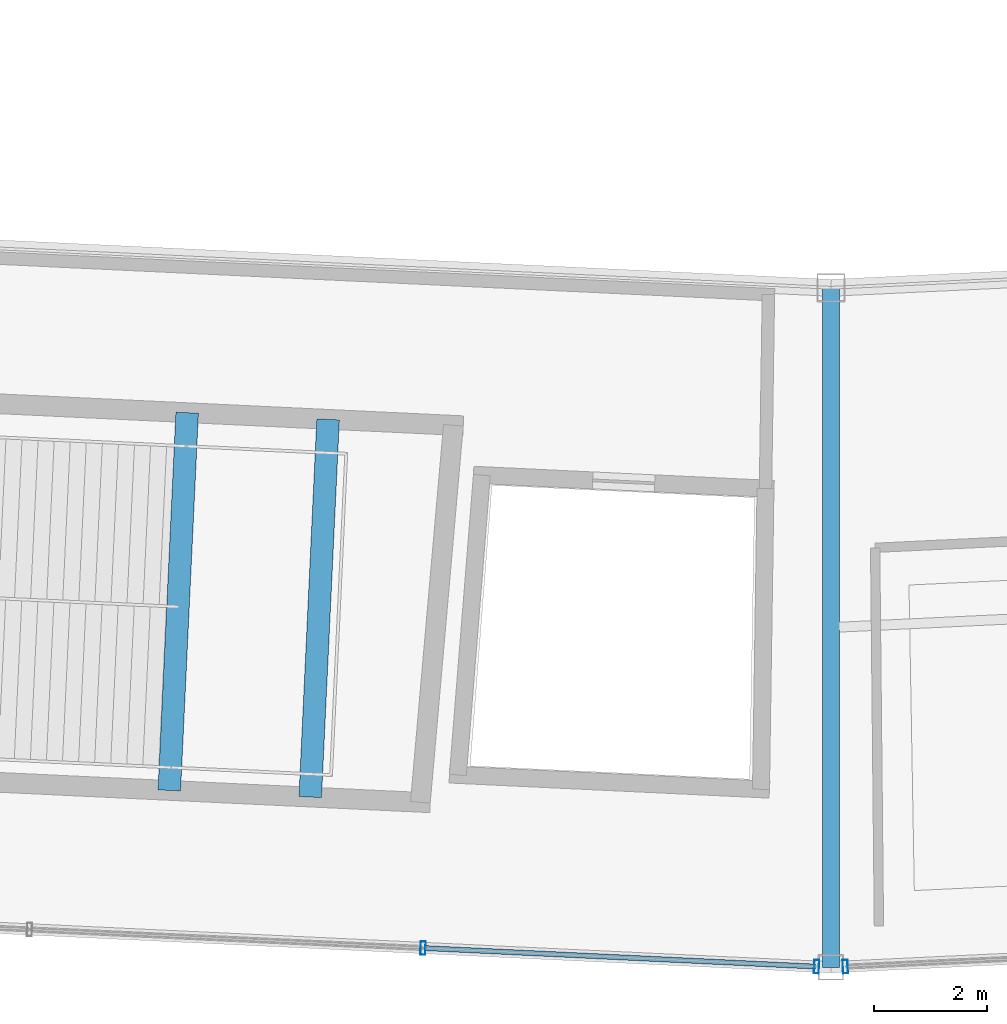
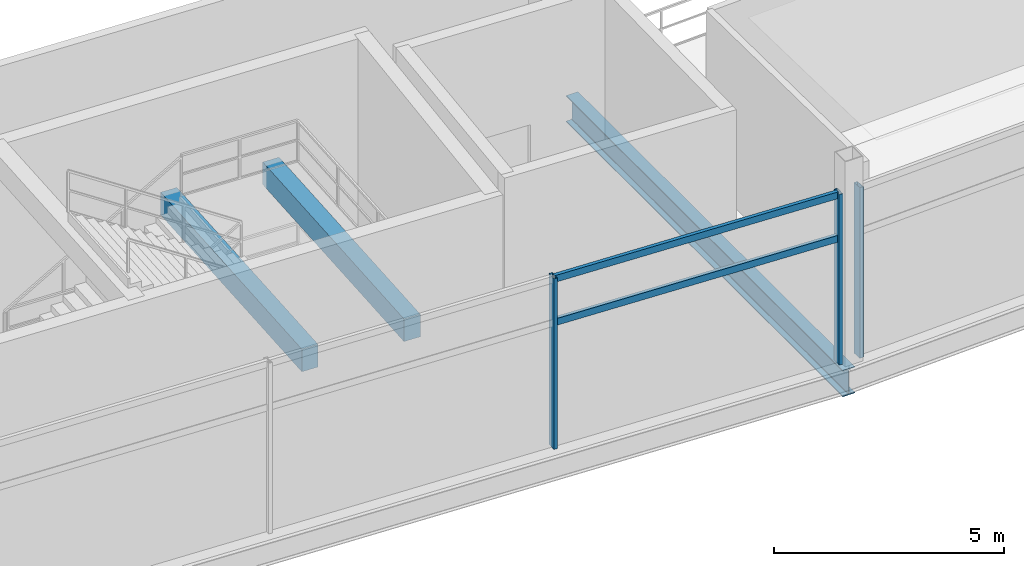
# One storey, part 26 of 103: 5 members, 3 beams, 2 elements without a shape of their own.
"""IFC4 building model written with IfcOpenShell, lengths in metres."""

from ifc_helpers import new_model, si_unit, direction, frame, origin, origin_2d, place, context, subcontext, project, spatial, rectangle, hollow_rectangle, i_section, extrude, material, layer, layer_set, material_profile, profile_set, type_object, element, aggregate, save


model = new_model("IFC4")

# Units and contexts
model_context = context("Model", 3, precision=1e-05, world=origin(), true_north=direction((0.0, 1.0)))
body_context = subcontext(model_context, "Body", "Model", "MODEL_VIEW")
ifc_project = project(units=[si_unit("LENGTHUNIT", "METRE"), si_unit("AREAUNIT", "SQUARE_METRE"), si_unit("VOLUMEUNIT", "CUBIC_METRE"), si_unit("PLANEANGLEUNIT", "RADIAN"), si_unit("MASSUNIT", "GRAM", prefix="KILO")], contexts=[model_context])

# Site, building, storey
site_placement = place(None, origin())
site = spatial("IfcSite", under=ifc_project, at=site_placement, CompositionType="ELEMENT")
building_placement = place(site_placement, origin())
building = spatial("IfcBuilding", under=site, at=building_placement, Name="Kazemori Nagisa Stadium", CompositionType="ELEMENT")
storey_placement = place(building_placement, frame((0.0, 0.0, 25.840087890625)))
storey = spatial("IfcBuildingStorey", under=building, at=storey_placement, Name="L05", CompositionType="ELEMENT", Elevation=25.840087890625)

# Beams
ifc_material_1 = material(Name="Steel SN490B", Category="steel")
ifc_material_profile_1 = material_profile(ifc_material_1, i_section(OverallWidth=0.300048828125, OverallDepth=0.699951171875, WebThickness=0.012939453125, FlangeThickness=0.02392578125, FilletRadius=0.01806640625, at=origin_2d()), Name="H-700x300x13x24")
ifc_profile_set_1 = profile_set([ifc_material_profile_1], Name="Steel SN490B")
beam_type_1 = type_object("IfcBeamType", Name="Beam_BG-H700", PredefinedType="BEAM", material=ifc_profile_set_1)
beam_placement = place(storey_placement, frame((123.0, 28.0400390625, -0.610107421875), z_axis=(0.0, -1.0, 0.0), x_axis=(1.0, 0.0, 0.0)))
element("IfcBeam", 1, at=beam_placement, inside=storey, type_object=beam_type_1, Name="Radial girder BG-H700 L05 R2-R3-22", PredefinedType="BEAM", context=body_context, shape_type="SweptSolid", body=[
    extrude(i_section(OverallWidth=0.300048828125, OverallDepth=0.699951171875, WebThickness=0.012939453125, FlangeThickness=0.02392578125, FilletRadius=0.01806640625, at=origin_2d()), origin(), (0.0, 0.0, 1.0), 12.0400390625),
])
ifc_material_2 = material(Name="Concrete C40/50 (Fc42)", Category="concrete")
ifc_material_profile_2 = material_profile(ifc_material_2, rectangle(XDim=0.39990234375, YDim=0.60009765625, at=origin_2d()), Name="RC-BM-400x600")
ifc_profile_set_2 = profile_set([ifc_material_profile_2], Name="Concrete C40/50 (Fc42)")
beam_type_2 = type_object("IfcBeamType", Name="Beam_BG-LND400X600", PredefinedType="BEAM", material=ifc_profile_set_2)
for number, where, z_axis, x_axis, name in (
    (2, (111.593017578125, 25.827392578125, 2.219970703125), (-0.047220656191, -0.998884482625, 0.0), (0.998884482625, -0.047220656191, 0.0), "Core stair mid-landing girder ST12-L05-1"),
    (3, (114.09033203125, 25.709228515625, 2.219970703125), (-0.047257010545, -0.998882763368, 0.0), (0.998882763368, -0.047257010545, 0.0), "Core stair mid-landing girder ST12-L05-2"),
):
    element("IfcBeam", number, at=place(storey_placement, frame(where, z_axis=z_axis, x_axis=x_axis)), inside=storey, type_object=beam_type_2, Name=name, PredefinedType="BEAM", context=body_context, shape_type="SweptSolid", body=[
        extrude(rectangle(XDim=0.39990234375, YDim=0.60009765625, at=origin_2d()), origin(), (0.0, 0.0, 1.0), 6.70068359375),
    ])

# Curtain wall, members
ifc_material_3 = material(Name="Anodised aluminium 6063-T5", Category="aluminium")
ifc_layer = layer(ifc_material_3, 0.239990234375, Name="Anodised aluminium 6063-T5", Category="aluminium")
ifc_layer_set = layer_set([ifc_layer], Name="Anodised aluminium 6063-T5")
curtain_wall_type = type_object("IfcCurtainWallType", Name="CW_L05R3_105", PredefinedType="USERDEFINED", material=ifc_layer_set)
curtain_wall_1_placement = place(storey_placement, origin())
curtain_wall_1 = element("IfcCurtainWall", 4, at=curtain_wall_1_placement, inside=storey, type_object=curtain_wall_type, Name="Unitised curtain wall CW-L05R3-105 L05", ObjectType="UNITISED CURTAIN WALL", PredefinedType="USERDEFINED")
ifc_material_4 = material(Name="Aluminium 6063-T5 anodised", Category="aluminium")
ifc_material_profile_3 = material_profile(ifc_material_4, hollow_rectangle(XDim=0.090087890625, YDim=0.239990234375, WallThickness=0.0048828125, at=origin_2d()), Name="ALU-MULL-90x240x5")
ifc_profile_set_3 = profile_set([ifc_material_profile_3], Name="Aluminium 6063-T5 anodised")
member_type_1 = type_object("IfcMemberType", Name="Mullion_M03", PredefinedType="MULLION", material=ifc_profile_set_3)
member_1_placement = place(storey_placement, frame((115.7724609375, 16.341796875, 0.0), z_axis=(0.0, 0.0, 1.0), x_axis=(0.998884022476, -0.047230388971, 0.0)))
member_1 = element("IfcMember", 5, at=member_1_placement, type_object=member_type_1, Name="Curtain wall mullion CW-L05R3-105-M3", PredefinedType="MULLION", context=body_context, shape_type="SweptSolid", body=[
    extrude(hollow_rectangle(XDim=0.090087890625, YDim=0.239990234375, WallThickness=0.0048828125, at=origin_2d()), origin(), (0.0, 0.0, 1.0), 4.530029296875),
])
member_2_placement = place(storey_placement, frame((122.745361328125, 16.011962890625, 0.0), z_axis=(0.0, 0.0, 1.0), x_axis=(0.998884022476, -0.047230388971, 0.0)))
member_2 = element("IfcMember", 6, at=member_2_placement, type_object=member_type_1, Name="Curtain wall mullion CW-L05R3-105-M4", PredefinedType="MULLION", context=body_context, shape_type="SweptSolid", body=[
    extrude(hollow_rectangle(XDim=0.090087890625, YDim=0.239990234375, WallThickness=0.0048828125, at=origin_2d()), origin(), (0.0, 0.0, 1.0), 4.530029296875),
])

# Curtain wall, member
curtain_wall_2_placement = place(storey_placement, origin())
curtain_wall_2 = element("IfcCurtainWall", 7, at=curtain_wall_2_placement, inside=storey, type_object=curtain_wall_type, Name="Unitised curtain wall CW-L05R3-105 L05", ObjectType="UNITISED CURTAIN WALL", PredefinedType="USERDEFINED")
member_3_placement = place(storey_placement, frame((123.254638671875, 16.011962890625, 0.0), z_axis=(0.0, 0.0, 1.0), x_axis=(0.998884022476, 0.047230388971, 0.0)))
member_3 = element("IfcMember", 8, at=member_3_placement, type_object=member_type_1, Name="Curtain wall mullion CW-L05R3-105-M1", PredefinedType="MULLION", context=body_context, shape_type="SweptSolid", body=[
    extrude(hollow_rectangle(XDim=0.090087890625, YDim=0.239990234375, WallThickness=0.0048828125, at=origin_2d()), origin(), (0.0, 0.0, 1.0), 4.530029296875),
])
aggregate(curtain_wall_2, [member_3])

# Member
ifc_material_profile_4 = material_profile(ifc_material_4, hollow_rectangle(XDim=0.090087890625, YDim=0.179931640625, WallThickness=0.0048828125, at=origin_2d()), Name="ALU-TRAN-90x180x5")
ifc_profile_set_4 = profile_set([ifc_material_profile_4], Name="Aluminium 6063-T5 anodised")
member_type_2 = type_object("IfcMemberType", Name="Transom_T03", PredefinedType="USERDEFINED", material=ifc_profile_set_4)
member_4_placement = place(storey_placement, frame((115.79248046875, 16.3408203125, 3.306884765625), z_axis=(0.998883524201, -0.047240925908, 0.0), x_axis=(0.047240925908, 0.998883524201, 0.0)))
member_4 = element("IfcMember", 9, at=member_4_placement, type_object=member_type_2, Name="Curtain wall transom CW-L05R3-105-T3-mid", ObjectType="TRANSOM", PredefinedType="USERDEFINED", context=body_context, shape_type="SweptSolid", body=[
    extrude(hollow_rectangle(XDim=0.090087890625, YDim=0.179931640625, WallThickness=0.0048828125, at=origin_2d()), origin(), (0.0, 0.0, 1.0), 6.940673828125),
])

member_5_placement = place(storey_placement, frame((115.79248046875, 16.3408203125, 4.4599609375), z_axis=(0.998883524201, -0.047240925908, 0.0), x_axis=(0.047240925908, 0.998883524201, 0.0)))
member_5 = element("IfcMember", 10, at=member_5_placement, type_object=member_type_2, Name="Curtain wall transom CW-L05R3-105-T3-head", ObjectType="TRANSOM", PredefinedType="USERDEFINED", context=body_context, shape_type="SweptSolid", body=[
    extrude(hollow_rectangle(XDim=0.090087890625, YDim=0.179931640625, WallThickness=0.0048828125, at=origin_2d()), origin(), (0.0, 0.0, 1.0), 6.940673828125),
])

aggregate(curtain_wall_1, [member_1, member_2, member_4, member_5])

save(model, "model.ifc")
